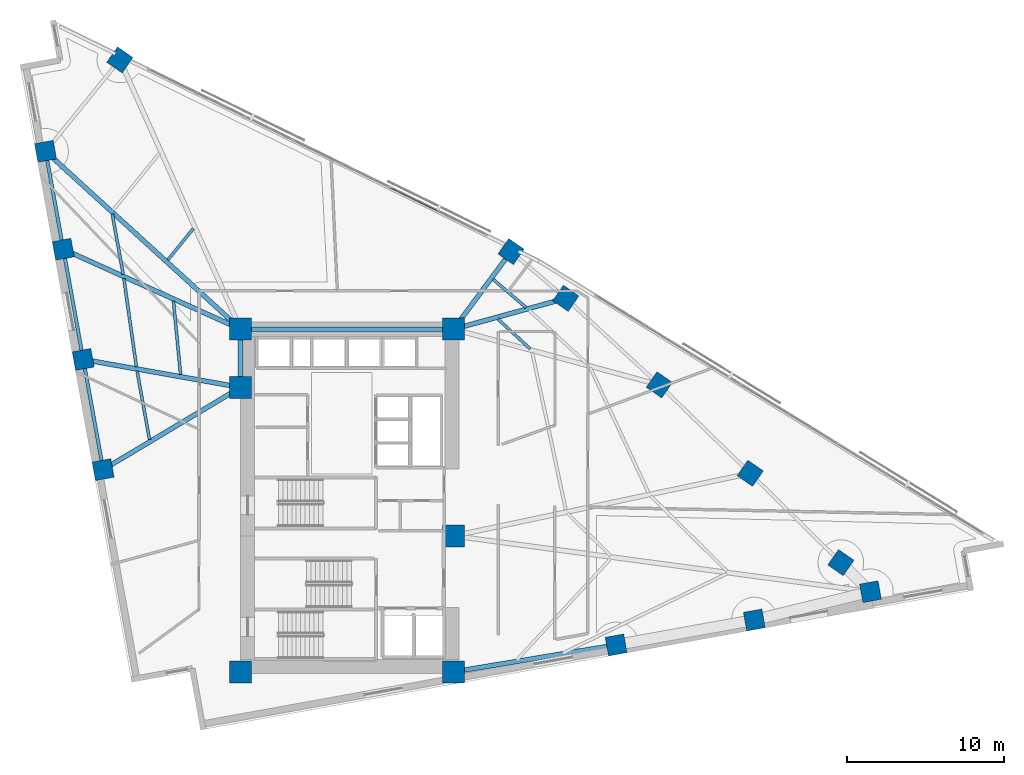
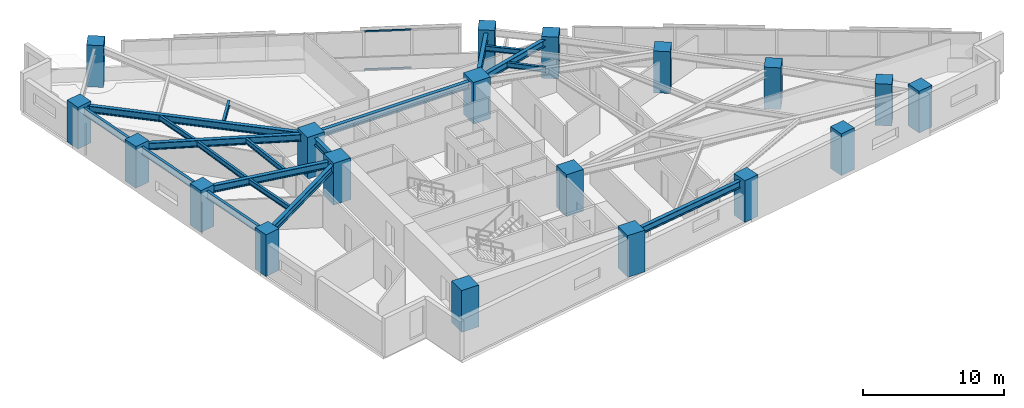
# One storey, part 1 of 18: 19 beams, 19 columns, 2 members, 1 element without a shape of its own.
"""IFC4 building model written with IfcOpenShell, lengths in metres."""

import ifcopenshell
import ifcopenshell.guid

model = None  # the IFC model being written
_history = None  # IfcOwnerHistory: only IFC2X3 demands one
_inside = {}  # id of a spatial element -> (the spatial element, [elements in it])
_under = {}  # id of a project, library or spatial element -> (it, [spatial elements below it])
_declared = {}  # id of a project -> (the project, [libraries it declares])
_typed = {}  # id of a type object -> (the type object, [elements of that type])
_made_of = {}  # id of a material, layer set ... -> (it, [elements and type objects made of it])


def new_model(schema):
    """Start an empty IFC model of exactly this schema.

    Asked for "IFC4X3", IfcOpenShell would pick the latest addendum, in which some entities
    have other attributes; the version numbers below select the first issue.
    IFC2X3 requires an IfcOwnerHistory on every rooted entity: one is made here for all.
    """
    global model, _history
    if schema == "IFC4X3":
        model = ifcopenshell.file(schema_version=(4, 3, 0, 0))
    else:
        model = ifcopenshell.file(schema=schema)
    _inside.clear()
    _under.clear()
    _declared.clear()
    _typed.clear()
    _made_of.clear()
    _history = None
    if model.schema == "IFC2X3":
        org = make("IfcOrganization", Name="unknown")
        user = make(
            "IfcPersonAndOrganization",
            ThePerson=make("IfcPerson", FamilyName="unknown"),
            TheOrganization=org,
        )
        app = make(
            "IfcApplication",
            ApplicationDeveloper=org,
            Version="unknown",
            ApplicationFullName="unknown",
            ApplicationIdentifier="unknown",
        )
        _history = make(
            "IfcOwnerHistory",
            OwningUser=user,
            OwningApplication=app,
            ChangeAction="ADDED",
            CreationDate=0,
        )
    return model


def make(cls, **values):
    """One entity of the class cls with the attributes given. An attribute that is None is left unset."""
    return model.create_entity(
        cls, **{name: value for name, value in values.items() if value is not None}
    )


def rooted(cls, **values):
    """An entity with a GlobalId (a new one), such as an element, a storey or a relation."""
    return make(cls, GlobalId=ifcopenshell.guid.new(), OwnerHistory=_history, **values)


def si_unit(unit_type, name, prefix=None):
    """IfcSIUnit, for example si_unit("LENGTHUNIT", "METRE", prefix="MILLI")."""
    return make("IfcSIUnit", UnitType=unit_type, Prefix=prefix, Name=name)


def assignment(units):
    """IfcUnitAssignment: the units of a project."""
    return None if units is None else make("IfcUnitAssignment", Units=units)


def point(xyz):
    """IfcCartesianPoint."""
    return None if xyz is None else make("IfcCartesianPoint", Coordinates=xyz)


def direction(xyz):
    """IfcDirection."""
    return None if xyz is None else make("IfcDirection", DirectionRatios=xyz)


def frame(location, z_axis=None, x_axis=None):
    """IfcAxis2Placement3D, a coordinate frame: its origin and axes. An axis left out is left unset."""
    return make(
        "IfcAxis2Placement3D",
        Location=point(location),
        Axis=direction(z_axis),
        RefDirection=direction(x_axis),
    )


def frame_2d(location, x_axis=None):
    """IfcAxis2Placement2D, a coordinate frame in the plane: its origin and x axis."""
    return make(
        "IfcAxis2Placement2D", Location=point(location), RefDirection=direction(x_axis)
    )


def origin():
    """The frame at (0, 0, 0) with its axes left unset."""
    return frame((0.0, 0.0, 0.0))


def origin_2d():
    """The frame at (0, 0) in the plane with its x axis left unset."""
    return frame_2d((0.0, 0.0))


def place(relative_to, where):
    """IfcLocalPlacement: puts the frame where relative to a parent placement (None: the world)."""
    return make(
        "IfcLocalPlacement", PlacementRelTo=relative_to, RelativePlacement=where
    )


def context(
    kind, dimensions, precision=None, world=None, true_north=None, identifier=None
):
    """IfcGeometricRepresentationContext, for example the 3D "Model" context."""
    return make(
        "IfcGeometricRepresentationContext",
        ContextIdentifier=identifier,
        ContextType=kind,
        CoordinateSpaceDimension=dimensions,
        Precision=precision,
        WorldCoordinateSystem=world,
        TrueNorth=true_north,
    )


def subcontext(parent, identifier, kind, view, scale=None):
    """IfcGeometricRepresentationSubContext, for example "Body" below "Model"."""
    return make(
        "IfcGeometricRepresentationSubContext",
        ContextIdentifier=identifier,
        ContextType=kind,
        ParentContext=parent,
        TargetScale=scale,
        TargetView=view,
    )


def project(units=None, contexts=None):
    """IfcProject with its units and contexts."""
    return rooted(
        "IfcProject",
        Name="project",
        RepresentationContexts=contexts,
        UnitsInContext=assignment(units),
    )


def spatial(cls, under=None, at=None, **own):
    """A site, building, storey or space (cls), placed at a placement, below another one or the project."""
    s = rooted(cls, ObjectPlacement=at, **own)
    if under is not None:
        _under.setdefault(under.id(), (under, []))[1].append(s)
    return s


def profile(cls, at=None, kind="AREA", **sizes):
    """A parametric profile (cls). Its sizes go by their IFC names, for example OverallWidth=200.0."""
    return make(cls, ProfileType=kind, Position=at, **sizes)


def rectangle(**sizes):
    """IfcRectangleProfileDef."""
    return profile("IfcRectangleProfileDef", **sizes)


def hollow_rectangle(**sizes):
    """IfcRectangleHollowProfileDef."""
    return profile("IfcRectangleHollowProfileDef", **sizes)


def i_section(**sizes):
    """IfcIShapeProfileDef."""
    return profile("IfcIShapeProfileDef", **sizes)


def extrude(swept, where, along, depth):
    """IfcExtrudedAreaSolid: the profile swept, set in the frame where, extruded along a direction by depth."""
    return make(
        "IfcExtrudedAreaSolid",
        SweptArea=swept,
        Position=where,
        ExtrudedDirection=direction(along),
        Depth=depth,
    )


def shape(context_of_items, identifier, shape_type, items):
    """IfcShapeRepresentation: the items that make up one representation, for example the "Body"."""
    return make(
        "IfcShapeRepresentation",
        ContextOfItems=context_of_items,
        RepresentationIdentifier=identifier,
        RepresentationType=shape_type,
        Items=items,
    )


def material(Name=None, Category=None):
    """IfcMaterial."""
    return make("IfcMaterial", Name=Name, Category=Category)


def material_profile(
    of_material, cross_section, Name=None, Category=None, Priority=None
):
    """IfcMaterialProfile: a cross section and its material."""
    return make(
        "IfcMaterialProfile",
        Name=Name,
        Material=of_material,
        Profile=cross_section,
        Priority=Priority,
        Category=Category,
    )


def profile_set(profiles, Name=None, composite=None):
    """IfcMaterialProfileSet."""
    return make(
        "IfcMaterialProfileSet",
        Name=Name,
        MaterialProfiles=profiles,
        CompositeProfile=composite,
    )


def made_of(thing, what):
    """Note that an element or type object is made of a material, layer set ...; save() writes the relation."""
    if what is not None:
        _made_of.setdefault(what.id(), (what, []))[1].append(thing)
    return thing


def type_object(cls, material=None, **own):
    """A type object (cls), such as IfcWallType, which elements share."""
    return made_of(rooted(cls, **own), material)


def element(
    cls,
    number,
    at=None,
    inside=None,
    cuts=None,
    type_object=None,
    material=None,
    context=None,
    identifier="Body",
    shape_type=None,
    held_by="IfcProductDefinitionShape",
    body=None,
    shapes=None,
    **own,
):
    """One element of the class cls, such as IfcWall. Its Tag is "e" and its number.

    at: its placement. inside: the storey or other place that contains it. cuts: it is an
    opening in that element (IfcRelVoidsElement). A single representation is given by context,
    identifier, shape_type and body (its items); several are given by shapes. held_by: the class
    of the entity that holds the representations. save() writes the other relations.
    """
    e = rooted(cls, Tag="e%d" % number, ObjectPlacement=at, **own)
    if body is not None:
        shapes = [shape(context, identifier, shape_type, body)]
    if shapes is not None:
        e.Representation = make(held_by, Representations=shapes)
    if inside is not None:
        _inside.setdefault(inside.id(), (inside, []))[1].append(e)
    if cuts is not None:
        rooted(
            "IfcRelVoidsElement", RelatingBuildingElement=cuts, RelatedOpeningElement=e
        )
    if type_object is not None:
        _typed.setdefault(type_object.id(), (type_object, []))[1].append(e)
    return made_of(e, material)


def aggregate(whole, parts):
    """IfcRelAggregates: a whole, such as a stair, and the parts it consists of."""
    return rooted("IfcRelAggregates", RelatingObject=whole, RelatedObjects=parts)


def save(model, path):
    """Write the relations noted so far, then the file.

    IfcRelAggregates (storeys below a building ...), IfcRelContainedInSpatialStructure (elements
    in a storey), IfcRelDefinesByType, IfcRelAssociatesMaterial and IfcRelDeclares: one each for
    every whole, place, type object, material and project.
    """
    for whole, parts in _under.values():
        aggregate(whole, parts)
    for where, things in _inside.values():
        rooted(
            "IfcRelContainedInSpatialStructure",
            RelatedElements=things,
            RelatingStructure=where,
        )
    for kind, things in _typed.values():
        rooted("IfcRelDefinesByType", RelatedObjects=things, RelatingType=kind)
    for what, things in _made_of.values():
        rooted("IfcRelAssociatesMaterial", RelatedObjects=things, RelatingMaterial=what)
    for by, libraries in _declared.values():
        rooted("IfcRelDeclares", RelatingContext=by, RelatedDefinitions=libraries)
    model.write(path)


model = new_model("IFC4")

# Units and contexts
model_context = context("Model", 3, precision=1e-05, world=origin(), true_north=direction((0.0, 1.0)))
body_context = subcontext(model_context, "Body", "Model", "MODEL_VIEW")
ifc_project = project(units=[si_unit("LENGTHUNIT", "METRE"), si_unit("AREAUNIT", "SQUARE_METRE"), si_unit("VOLUMEUNIT", "CUBIC_METRE"), si_unit("PLANEANGLEUNIT", "RADIAN"), si_unit("MASSUNIT", "GRAM", prefix="KILO")], contexts=[model_context])

# Site, building, storey
site_placement = place(None, origin())
site = spatial("IfcSite", under=ifc_project, at=site_placement, CompositionType="ELEMENT")
building_placement = place(site_placement, origin())
building = spatial("IfcBuilding", under=site, at=building_placement, Name="Narakoshi Arena Tower", CompositionType="ELEMENT")
storey_placement = place(building_placement, frame((0.0, 0.0, 106.5)))
storey = spatial("IfcBuildingStorey", under=building, at=storey_placement, Name="L28", CompositionType="ELEMENT", Elevation=106.5)

# Columns
ifc_material_1 = material(Name="Concrete C60/75", Category="concrete")
ifc_material_profile_1 = material_profile(ifc_material_1, rectangle(XDim=1.199951171875, YDim=1.199951171875, at=origin_2d()), Name="RC1200x1200")
ifc_profile_set_1 = profile_set([ifc_material_profile_1], Name="Concrete C60/75")
column_type_1 = type_object("IfcColumnType", Name="COL-RC1200", PredefinedType="COLUMN", material=ifc_profile_set_1)
for number, where, z_axis, x_axis, name in (
    (1, (95.89013671875, 36.411865234375, 0.0), (0.0, 0.0, 1.0), (0.984040697646, 0.177943545474, 0.0), "L28 Tower Perimeter Column TC02"),
    (2, (104.681396484375, 38.00146484375, 0.0), (0.0, 0.0, 1.0), (0.984040697646, 0.177943545474, 0.0), "L28 Tower Perimeter Column TC03"),
    (3, (112.0703125, 39.7978515625, 0.0), (0.0, 0.0, 1.0), (0.984040697646, 0.177943545474, 0.0), "L28 Tower Perimeter Column TC04"),
    (4, (110.189208984375, 41.650146484375, 0.0), (0.0, 0.0, 1.0), (0.569996762596, 0.821646937942, 0.0), "L28 Tower Perimeter Column TC05"),
    (5, (104.42041015625, 47.33056640625, 0.0), (0.0, 0.0, 1.0), (0.569996762596, 0.821646937942, 0.0), "L28 Tower Perimeter Column TC06"),
    (6, (98.641357421875, 52.95849609375, 0.0), (0.0, 0.0, 1.0), (0.569996762596, 0.821646937942, 0.0), "L28 Tower Perimeter Column TC07"),
    (7, (92.68994140625, 58.462890625, 0.0), (0.0, 0.0, 1.0), (0.569996762596, 0.821646937942, 0.0), "L28 Tower Perimeter Column TC08"),
    (8, (89.206787109375, 61.437744140625, 0.0), (0.0, 0.0, 1.0), (0.569996762596, 0.821646937942, 0.0), "L28 Tower Perimeter Column TC09"),
    (9, (64.31787109375, 73.633056640625, 0.0), (0.0, 0.0, 1.0), (0.569996762596, 0.821646937942, 0.0), "L28 Tower Perimeter Column TC11"),
    (10, (59.593505859375, 67.81591796875, 0.0), (0.0, 0.0, 1.0), (-0.177943545474, 0.984040697646, 0.0), "L28 Tower Perimeter Column TC13"),
    (11, (60.72021484375, 61.585205078125, 0.0), (0.0, 0.0, 1.0), (-0.177943545474, 0.984040697646, 0.0), "L28 Tower Perimeter Column TC14"),
    (12, (61.98779296875, 54.575439453125, 0.0), (0.0, 0.0, 1.0), (-0.177943545474, 0.984040697646, 0.0), "L28 Tower Perimeter Column TC15"),
    (13, (63.25537109375, 47.56591796875, 0.0), (0.0, 0.0, 1.0), (-0.177943545474, 0.984040697646, 0.0), "L28 Tower Perimeter Column TC16"),
):
    element("IfcColumn", number, at=place(storey_placement, frame(where, z_axis=z_axis, x_axis=x_axis)), inside=storey, type_object=column_type_1, Name=name, PredefinedType="COLUMN", context=body_context, shape_type="SweptSolid", body=[
        extrude(rectangle(XDim=1.199951171875, YDim=1.199951171875, at=origin_2d()), origin(), (0.0, 0.0, 1.0), 3.60009765625),
    ])
ifc_material_profile_2 = material_profile(ifc_material_1, rectangle(XDim=1.39990234375, YDim=1.39990234375, at=origin_2d()), Name="RC1400x1400")
ifc_profile_set_2 = profile_set([ifc_material_profile_2], Name="Concrete C60/75")
column_type_2 = type_object("IfcColumnType", Name="COL-RC1400", PredefinedType="COLUMN", material=ifc_profile_set_2)
for number, where, z_axis, x_axis, name in (
    (14, (72.0, 34.699951171875, 0.0), (0.0, 0.0, 1.0), (1.0, 0.0, 0.0), "L28 Core Structural Column CC1"),
    (15, (85.550048828125, 34.699951171875, 0.0), (0.0, 0.0, 1.0), (1.0, 0.0, 0.0), "L28 Core Structural Column CC2"),
    (16, (85.550048828125, 43.35009765625, 0.0), (0.0, 0.0, 1.0), (1.0, 0.0, 0.0), "L28 Core Structural Column CC3"),
    (17, (72.0, 52.800048828125, 0.0), (0.0, 0.0, 1.0), (1.0, 0.0, 0.0), "L28 Core Structural Column CC4"),
    (18, (72.0, 56.5, 0.0), (0.0, 0.0, 1.0), (1.0, 0.0, 0.0), "L28 Core Structural Column CC5"),
    (19, (85.550048828125, 56.5, 0.0), (0.0, 0.0, 1.0), (1.0, 0.0, 0.0), "L28 Core Structural Column CC6"),
):
    element("IfcColumn", number, at=place(storey_placement, frame(where, z_axis=z_axis, x_axis=x_axis)), inside=storey, type_object=column_type_2, Name=name, PredefinedType="COLUMN", context=body_context, shape_type="SweptSolid", body=[
        extrude(rectangle(XDim=1.39990234375, YDim=1.39990234375, at=origin_2d()), origin(), (0.0, 0.0, 1.0), 3.60009765625),
    ])

# Beams
ifc_material_2 = material(Name="Structural steel S355J2", Category="steel")
ifc_material_profile_3 = material_profile(ifc_material_2, i_section(OverallWidth=0.219970703125, OverallDepth=0.60009765625, WebThickness=0.011962890625, FlangeThickness=0.01904296875, FilletRadius=0.02392578125, at=origin_2d()), Name="IPE600")
ifc_profile_set_3 = profile_set([ifc_material_profile_3], Name="Structural steel S355J2")
beam_type_1 = type_object("IfcBeamType", Name="BM-EDGE-600", PredefinedType="BEAM", material=ifc_profile_set_3)
beam_1_placement = place(storey_placement, frame((59.593505859375, 67.81591796875, 3.0400390625), z_axis=(0.177945465207, -0.9840403505, 0.0), x_axis=(0.9840403505, 0.177945465207, 0.0)))
element("IfcBeam", 20, at=beam_1_placement, inside=storey, type_object=beam_type_1, Name="L28 Perimeter Edge Girder 10", PredefinedType="BEAM", context=body_context, shape_type="SweptSolid", body=[
    extrude(i_section(OverallWidth=0.219970703125, OverallDepth=0.60009765625, WebThickness=0.011962890625, FlangeThickness=0.01904296875, FilletRadius=0.02392578125, at=origin_2d()), origin(), (0.0, 0.0, 1.0), 6.331787109375),
])
beam_2_placement = place(storey_placement, frame((60.72021484375, 61.585205078125, 3.0400390625), z_axis=(0.177944362466, -0.98404054991, 0.0), x_axis=(0.98404054991, 0.177944362466, 0.0)))
element("IfcBeam", 21, at=beam_2_placement, inside=storey, type_object=beam_type_1, Name="L28 Perimeter Edge Girder 11", PredefinedType="BEAM", context=body_context, shape_type="SweptSolid", body=[
    extrude(i_section(OverallWidth=0.219970703125, OverallDepth=0.60009765625, WebThickness=0.011962890625, FlangeThickness=0.01904296875, FilletRadius=0.02392578125, at=origin_2d()), origin(), (0.0, 0.0, 1.0), 7.12353515625),
])
beam_3_placement = place(storey_placement, frame((61.98779296875, 54.575439453125, 3.0400390625), z_axis=(0.177950363985, -0.984039464634, 0.0), x_axis=(0.984039464634, 0.177950363985, 0.0)))
element("IfcBeam", 22, at=beam_3_placement, inside=storey, type_object=beam_type_1, Name="L28 Perimeter Edge Girder 12", PredefinedType="BEAM", context=body_context, shape_type="SweptSolid", body=[
    extrude(i_section(OverallWidth=0.219970703125, OverallDepth=0.60009765625, WebThickness=0.011962890625, FlangeThickness=0.01904296875, FilletRadius=0.02392578125, at=origin_2d()), origin(), (0.0, 0.0, 1.0), 7.123291015625),
])
ifc_material_profile_4 = material_profile(ifc_material_2, i_section(OverallWidth=0.300048828125, OverallDepth=0.60009765625, WebThickness=0.015380859375, FlangeThickness=0.030029296875, FilletRadius=0.027099609375, at=origin_2d()), Name="HE600B")
ifc_profile_set_4 = profile_set([ifc_material_profile_4], Name="Structural steel S355J2")
beam_type_2 = type_object("IfcBeamType", Name="BM-PRI-600", PredefinedType="BEAM", material=ifc_profile_set_4)
beam_4_placement = place(storey_placement, frame((85.550048828125, 34.699951171875, 3.0400390625), z_axis=(0.986570261116, 0.163337441762, 0.0), x_axis=(-0.163337441762, 0.986570261116, 0.0)))
element("IfcBeam", 23, at=beam_4_placement, inside=storey, type_object=beam_type_2, Name="L28 Radial Primary Floor Girder 01", PredefinedType="BEAM", context=body_context, shape_type="SweptSolid", body=[
    extrude(i_section(OverallWidth=0.300048828125, OverallDepth=0.60009765625, WebThickness=0.015380859375, FlangeThickness=0.030029296875, FilletRadius=0.027099609375, at=origin_2d()), origin(), (0.0, 0.0, 1.0), 10.48095703125),
])
beam_5_placement = place(storey_placement, frame((85.550048828125, 56.5, 3.0400390625), z_axis=(0.964225409977, 0.265083682551, 0.0), x_axis=(-0.265083682551, 0.964225409977, 0.0)))
element("IfcBeam", 24, at=beam_5_placement, inside=storey, type_object=beam_type_2, Name="L28 Radial Primary Floor Girder 07", PredefinedType="BEAM", context=body_context, shape_type="SweptSolid", body=[
    extrude(i_section(OverallWidth=0.300048828125, OverallDepth=0.60009765625, WebThickness=0.015380859375, FlangeThickness=0.030029296875, FilletRadius=0.027099609375, at=origin_2d()), origin(), (0.0, 0.0, 1.0), 7.40478515625),
])
beam_6_placement = place(storey_placement, frame((85.550048828125, 56.5, 3.0400390625), z_axis=(0.595138224279, 0.803623353321, 0.0), x_axis=(-0.803623353321, 0.595138224279, 0.0)))
element("IfcBeam", 25, at=beam_6_placement, inside=storey, type_object=beam_type_2, Name="L28 Radial Primary Floor Girder 08", PredefinedType="BEAM", context=body_context, shape_type="SweptSolid", body=[
    extrude(i_section(OverallWidth=0.300048828125, OverallDepth=0.60009765625, WebThickness=0.015380859375, FlangeThickness=0.030029296875, FilletRadius=0.027099609375, at=origin_2d()), origin(), (0.0, 0.0, 1.0), 6.144287109375),
])
beam_7_placement = place(storey_placement, frame((72.0, 56.5, 3.0400390625), z_axis=(-0.738833839277, 0.673887644893, 0.0), x_axis=(-0.673887644893, -0.738833839277, 0.0)))
element("IfcBeam", 26, at=beam_7_placement, inside=storey, type_object=beam_type_2, Name="L28 Radial Primary Floor Girder 10", PredefinedType="BEAM", context=body_context, shape_type="SweptSolid", body=[
    extrude(i_section(OverallWidth=0.300048828125, OverallDepth=0.60009765625, WebThickness=0.015380859375, FlangeThickness=0.030029296875, FilletRadius=0.027099609375, at=origin_2d()), origin(), (0.0, 0.0, 1.0), 16.7919921875),
])
beam_8_placement = place(storey_placement, frame((72.0, 56.5, 3.0400390625), z_axis=(-0.911639961566, 0.410989757142, 0.0), x_axis=(-0.410989757142, -0.911639961566, 0.0)))
element("IfcBeam", 27, at=beam_8_placement, inside=storey, type_object=beam_type_2, Name="L28 Radial Primary Floor Girder 11", PredefinedType="BEAM", context=body_context, shape_type="SweptSolid", body=[
    extrude(i_section(OverallWidth=0.300048828125, OverallDepth=0.60009765625, WebThickness=0.015380859375, FlangeThickness=0.030029296875, FilletRadius=0.027099609375, at=origin_2d()), origin(), (0.0, 0.0, 1.0), 12.373046875),
])
beam_9_placement = place(storey_placement, frame((72.0, 52.800048828125, 3.0400390625), z_axis=(-0.984639647685, 0.174598866568, 0.0), x_axis=(-0.174598866568, -0.984639647685, 0.0)))
element("IfcBeam", 28, at=beam_9_placement, inside=storey, type_object=beam_type_2, Name="L28 Radial Primary Floor Girder 12", PredefinedType="BEAM", context=body_context, shape_type="SweptSolid", body=[
    extrude(i_section(OverallWidth=0.300048828125, OverallDepth=0.60009765625, WebThickness=0.015380859375, FlangeThickness=0.030029296875, FilletRadius=0.027099609375, at=origin_2d()), origin(), (0.0, 0.0, 1.0), 10.16845703125),
])
beam_10_placement = place(storey_placement, frame((72.0, 52.800048828125, 3.0400390625), z_axis=(-0.858039895053, -0.513583039534, 0.0), x_axis=(0.513583039534, -0.858039895053, 0.0)))
element("IfcBeam", 29, at=beam_10_placement, inside=storey, type_object=beam_type_2, Name="L28 Radial Primary Floor Girder 13", PredefinedType="BEAM", context=body_context, shape_type="SweptSolid", body=[
    extrude(i_section(OverallWidth=0.300048828125, OverallDepth=0.60009765625, WebThickness=0.015380859375, FlangeThickness=0.030029296875, FilletRadius=0.027099609375, at=origin_2d()), origin(), (0.0, 0.0, 1.0), 10.19140625),
])
beam_11_placement = place(storey_placement, frame((72.0, 52.800048828125, 3.0400390625), z_axis=(0.0, 1.0, 0.0), x_axis=(-1.0, 0.0, 0.0)))
element("IfcBeam", 30, at=beam_11_placement, inside=storey, type_object=beam_type_2, Name="L28 Core Perimeter Frame Beam CC4-CC5", PredefinedType="BEAM", context=body_context, shape_type="SweptSolid", body=[
    extrude(i_section(OverallWidth=0.300048828125, OverallDepth=0.60009765625, WebThickness=0.015380859375, FlangeThickness=0.030029296875, FilletRadius=0.027099609375, at=origin_2d()), origin(), (0.0, 0.0, 1.0), 3.699951171875),
])
beam_12_placement = place(storey_placement, frame((72.0, 56.5, 3.0400390625), z_axis=(1.0, 0.0, 0.0), x_axis=(0.0, 1.0, 0.0)))
element("IfcBeam", 31, at=beam_12_placement, inside=storey, type_object=beam_type_2, Name="L28 Core Perimeter Frame Beam CC5-CC6", PredefinedType="BEAM", context=body_context, shape_type="SweptSolid", body=[
    extrude(i_section(OverallWidth=0.300048828125, OverallDepth=0.60009765625, WebThickness=0.015380859375, FlangeThickness=0.030029296875, FilletRadius=0.027099609375, at=origin_2d()), origin(), (0.0, 0.0, 1.0), 13.550048828125),
])
ifc_material_profile_5 = material_profile(ifc_material_2, i_section(OverallWidth=0.18994140625, OverallDepth=0.449951171875, WebThickness=0.009521484375, FlangeThickness=0.0146484375, FilletRadius=0.02099609375, at=origin_2d()), Name="IPE450")
ifc_profile_set_5 = profile_set([ifc_material_profile_5], Name="Structural steel S355J2")
beam_type_3 = type_object("IfcBeamType", Name="BM-SEC-450", PredefinedType="JOIST", material=ifc_profile_set_5)
beam_13_placement = place(storey_placement, frame((90.425537109375, 55.245849609375, 3.114990234375), z_axis=(-0.734107017301, 0.679033789402, 0.0), x_axis=(-0.679033789402, -0.734107017301, 0.0)))
element("IfcBeam", 32, at=beam_13_placement, inside=storey, type_object=beam_type_3, Name="L28 Composite Secondary Floor Joist 07", PredefinedType="JOIST", context=body_context, shape_type="SweptSolid", body=[
    extrude(i_section(OverallWidth=0.18994140625, OverallDepth=0.449951171875, WebThickness=0.009521484375, FlangeThickness=0.0146484375, FilletRadius=0.02099609375, at=origin_2d()), origin(), (0.0, 0.0, 1.0), 2.810546875),
])
beam_14_placement = place(storey_placement, frame((90.15966796875, 57.88330078125, 3.114990234375), z_axis=(-0.760394661797, 0.649461283149, 0.0), x_axis=(-0.649461283149, -0.760394661797, 0.0)))
element("IfcBeam", 33, at=beam_14_placement, inside=storey, type_object=beam_type_3, Name="L28 Composite Secondary Floor Joist 09", PredefinedType="JOIST", context=body_context, shape_type="SweptSolid", body=[
    extrude(i_section(OverallWidth=0.18994140625, OverallDepth=0.449951171875, WebThickness=0.009521484375, FlangeThickness=0.0146484375, FilletRadius=0.02099609375, at=origin_2d()), origin(), (0.0, 0.0, 1.0), 2.753173828125),
])
beam_15_placement = place(storey_placement, frame((68.99560546875, 62.90576171875, 3.114990234375), z_axis=(-0.630407193219, -0.776264626746, 0.0), x_axis=(0.776264626746, -0.630407193219, 0.0)))
element("IfcBeam", 34, at=beam_15_placement, inside=storey, type_object=beam_type_3, Name="L28 Composite Secondary Floor Joist 10", PredefinedType="JOIST", context=body_context, shape_type="SweptSolid", body=[
    extrude(i_section(OverallWidth=0.18994140625, OverallDepth=0.449951171875, WebThickness=0.009521484375, FlangeThickness=0.0146484375, FilletRadius=0.02099609375, at=origin_2d()), origin(), (0.0, 0.0, 1.0), 2.57763671875),
])
beam_16_placement = place(storey_placement, frame((63.835693359375, 63.835693359375, 3.114990234375), z_axis=(0.177934538445, -0.98404232634, 0.0), x_axis=(0.98404232634, 0.177934538445, 0.0)))
element("IfcBeam", 35, at=beam_16_placement, inside=storey, type_object=beam_type_3, Name="L28 Composite Secondary Floor Joist 12", PredefinedType="JOIST", context=body_context, shape_type="SweptSolid", body=[
    extrude(i_section(OverallWidth=0.18994140625, OverallDepth=0.449951171875, WebThickness=0.009521484375, FlangeThickness=0.0146484375, FilletRadius=0.02099609375, at=origin_2d()), origin(), (0.0, 0.0, 1.0), 3.9091796875),
])
beam_17_placement = place(storey_placement, frame((67.726806640625, 58.298095703125, 3.114990234375), z_axis=(0.09670180162, -0.995313398666, 0.0), x_axis=(0.995313398666, 0.09670180162, 0.0)))
element("IfcBeam", 36, at=beam_17_placement, inside=storey, type_object=beam_type_3, Name="L28 Composite Secondary Floor Joist 13", PredefinedType="JOIST", context=body_context, shape_type="SweptSolid", body=[
    extrude(i_section(OverallWidth=0.18994140625, OverallDepth=0.449951171875, WebThickness=0.009521484375, FlangeThickness=0.0146484375, FilletRadius=0.02099609375, at=origin_2d()), origin(), (0.0, 0.0, 1.0), 4.7109375),
])
beam_18_placement = place(storey_placement, frame((64.57421875, 59.722412109375, 3.114990234375), z_axis=(0.140758627252, -0.99004394289, 0.0), x_axis=(0.99004394289, 0.140758627252, 0.0)))
element("IfcBeam", 37, at=beam_18_placement, inside=storey, type_object=beam_type_3, Name="L28 Composite Secondary Floor Joist 14", PredefinedType="JOIST", context=body_context, shape_type="SweptSolid", body=[
    extrude(i_section(OverallWidth=0.18994140625, OverallDepth=0.449951171875, WebThickness=0.009521484375, FlangeThickness=0.0146484375, FilletRadius=0.02099609375, at=origin_2d()), origin(), (0.0, 0.0, 1.0), 5.67333984375),
])
beam_19_placement = place(storey_placement, frame((65.416015625, 53.839111328125, 3.114990234375), z_axis=(0.177944838114, -0.984040463898, 0.0), x_axis=(0.984040463898, 0.177944838114, 0.0)))
element("IfcBeam", 38, at=beam_19_placement, inside=storey, type_object=beam_type_3, Name="L28 Composite Secondary Floor Joist 15", PredefinedType="JOIST", context=body_context, shape_type="SweptSolid", body=[
    extrude(i_section(OverallWidth=0.18994140625, OverallDepth=0.449951171875, WebThickness=0.009521484375, FlangeThickness=0.0146484375, FilletRadius=0.02099609375, at=origin_2d()), origin(), (0.0, 0.0, 1.0), 4.431640625),
])

# Curtain wall, members
ifc_material_3 = material(Name="Anodised bronze aluminium 6063-T6", Category="aluminium")
curtain_wall_type = type_object("IfcCurtainWallType", Name="CW-HYP-LOW", PredefinedType="NOTDEFINED", material=ifc_material_3)
curtain_wall_placement = place(storey_placement, origin())
curtain_wall = element("IfcCurtainWall", 39, at=curtain_wall_placement, inside=storey, type_object=curtain_wall_type, Name="L28 Folded Hypotenuse Curtain Wall 2-1", PredefinedType="NOTDEFINED")
ifc_material_profile_6 = material_profile(ifc_material_3, hollow_rectangle(XDim=0.06494140625, YDim=0.1298828125, WallThickness=0.00390625, OuterFilletRadius=0.0048828125, at=origin_2d()), Name="TRN130x65x4")
ifc_profile_set_6 = profile_set([ifc_material_profile_6], Name="Anodised bronze aluminium 6063-T6")
member_type = type_object("IfcMemberType", Name="MEM-TRN-130", PredefinedType="USERDEFINED", material=ifc_profile_set_6)
member_1_placement = place(storey_placement, frame((84.525634765625, 64.02099609375, 0.032470703125), z_axis=(-0.897986843255, 0.440022305503, 0.0), x_axis=(-0.440022305503, -0.897986843255, 0.0)))
member_1 = element("IfcMember", 40, at=member_1_placement, type_object=member_type, Name="CW-01 transom 2.1", ObjectType="TRANSOM", PredefinedType="USERDEFINED", context=body_context, shape_type="SweptSolid", body=[
    extrude(hollow_rectangle(XDim=0.06494140625, YDim=0.1298828125, WallThickness=0.00390625, OuterFilletRadius=0.0048828125, at=origin_2d()), origin(), (0.0, 0.0, 1.0), 3.347412109375),
])
member_2_placement = place(storey_placement, frame((84.525634765625, 64.02099609375, 3.3076171875), z_axis=(-0.897986843255, 0.440022305503, 0.0), x_axis=(-0.440022305503, -0.897986843255, 0.0)))
member_2 = element("IfcMember", 41, at=member_2_placement, type_object=member_type, Name="CW-01 transom 2.2", ObjectType="TRANSOM", PredefinedType="USERDEFINED", context=body_context, shape_type="SweptSolid", body=[
    extrude(hollow_rectangle(XDim=0.06494140625, YDim=0.1298828125, WallThickness=0.00390625, OuterFilletRadius=0.0048828125, at=origin_2d()), origin(), (0.0, 0.0, 1.0), 3.347412109375),
])
aggregate(curtain_wall, [member_1, member_2])

save(model, "model.ifc")
